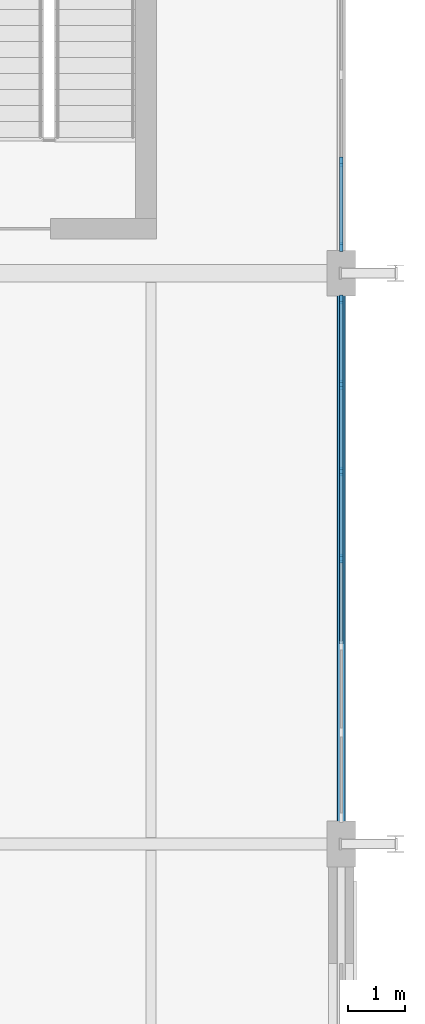
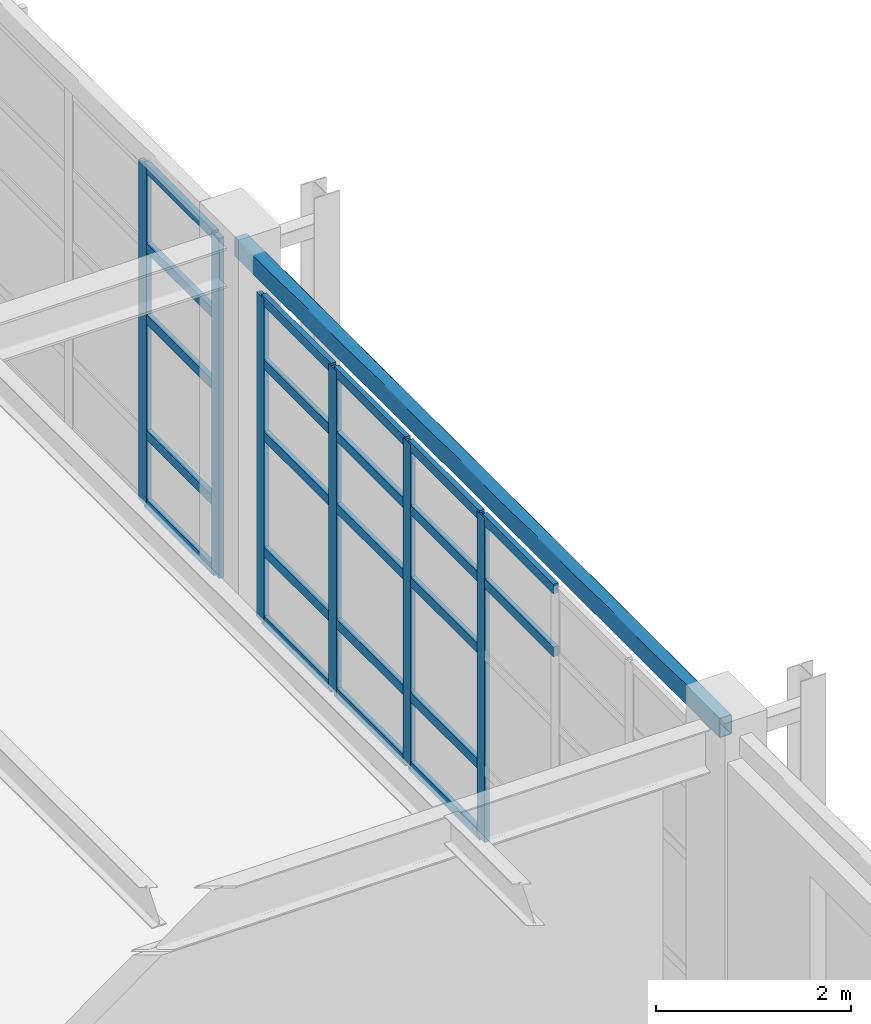
# One storey, part 65 of 139: 28 members, 1 beam, 2 elements without a shape of their own.
"""IFC4 building model written with IfcOpenShell, lengths in metres."""

from ifc_helpers import new_model, si_unit, direction, frame, origin, origin_2d, place, context, subcontext, project, spatial, rectangle, hollow_rectangle, extrude, material, layer, layer_set, material_profile, profile_set, type_object, element, aggregate, save


model = new_model("IFC4")

# Units and contexts
model_context = context("Model", 3, precision=1e-05, world=origin(), true_north=direction((0.0, 1.0)))
body_context = subcontext(model_context, "Body", "Model", "MODEL_VIEW")
ifc_project = project(units=[si_unit("LENGTHUNIT", "METRE"), si_unit("AREAUNIT", "SQUARE_METRE"), si_unit("VOLUMEUNIT", "CUBIC_METRE"), si_unit("PLANEANGLEUNIT", "RADIAN"), si_unit("MASSUNIT", "GRAM", prefix="KILO"), si_unit("THERMODYNAMICTEMPERATUREUNIT", "KELVIN"), si_unit("POWERUNIT", "WATT")], contexts=[model_context])

# Site, building, storey
site_placement = place(None, origin())
site = spatial("IfcSite", under=ifc_project, at=site_placement, CompositionType="ELEMENT")
building_placement = place(site_placement, origin())
building = spatial("IfcBuilding", under=site, at=building_placement, Name="Korenveer Ferry Terminal", CompositionType="ELEMENT")
storey_placement = place(building_placement, frame((0.0, 0.0, 5.39990234375)))
storey = spatial("IfcBuildingStorey", under=building, at=storey_placement, Name="L01", CompositionType="ELEMENT", Elevation=5.39990234375)

# Curtain wall, members
ifc_material_1 = material(Name="Unitised bronze-and-glass curtain wall", Category="glass")
ifc_layer_1 = layer(ifc_material_1, 0.159912109375)
ifc_layer_set_1 = layer_set([ifc_layer_1], Name="Unitised bronze-and-glass curtain wall")
curtain_wall_type_1 = type_object("IfcCurtainWallType", Name="ENV-CW-80", PredefinedType="USERDEFINED", material=ifc_layer_set_1)
curtain_wall_1_placement = place(storey_placement, frame((176.0, 29.570068359375, 0.0)))
curtain_wall_1 = element("IfcCurtainWall", 1, at=curtain_wall_1_placement, inside=storey, type_object=curtain_wall_type_1, Name="Lancet curtain wall CWX-L01-X176-176-Y20-30", ObjectType="UNITISED CURTAIN WALL", PredefinedType="USERDEFINED")
ifc_material_2 = material(Name="Anodised bronze aluminium", Category="aluminium")
ifc_material_profile_1 = material_profile(ifc_material_2, rectangle(XDim=0.06005859375, YDim=0.159912109375, at=origin_2d()), Name="ALU 60x160")
ifc_profile_set_1 = profile_set([ifc_material_profile_1], Name="Anodised bronze aluminium")
member_type_1 = type_object("IfcMemberType", Name="ENV-CWM-60X160", PredefinedType="MULLION", material=ifc_profile_set_1)
member_1_placement = place(storey_placement, frame((176.0, 29.5400390625, 0.0), z_axis=(0.0, 0.0, 1.0), x_axis=(1.0, 0.0, 0.0)))
member_1 = element("IfcMember", 2, at=member_1_placement, type_object=member_type_1, Name="CW-80 mullion 1", PredefinedType="MULLION", context=body_context, shape_type="SweptSolid", body=[
    extrude(rectangle(XDim=0.06005859375, YDim=0.159912109375, at=origin_2d()), origin(), (0.0, 0.0, 1.0), 4.070068359375),
])
member_2_placement = place(storey_placement, frame((176.0, 28.046630859375, 0.0), z_axis=(0.0, 0.0, 1.0), x_axis=(1.0, 0.0, 0.0)))
member_2 = element("IfcMember", 3, at=member_2_placement, type_object=member_type_1, Name="CW-80 mullion 2", PredefinedType="MULLION", context=body_context, shape_type="SweptSolid", body=[
    extrude(rectangle(XDim=0.06005859375, YDim=0.159912109375, at=origin_2d()), origin(), (0.0, 0.0, 1.0), 4.070068359375),
])
member_3_placement = place(storey_placement, frame((176.0, 26.5234375, 0.0), z_axis=(0.0, 0.0, 1.0), x_axis=(1.0, 0.0, 0.0)))
member_3 = element("IfcMember", 4, at=member_3_placement, type_object=member_type_1, Name="CW-80 mullion 3", PredefinedType="MULLION", context=body_context, shape_type="SweptSolid", body=[
    extrude(rectangle(XDim=0.06005859375, YDim=0.159912109375, at=origin_2d()), origin(), (0.0, 0.0, 1.0), 4.070068359375),
])
member_4_placement = place(storey_placement, frame((176.0, 25.0, 0.0), z_axis=(0.0, 0.0, 1.0), x_axis=(1.0, 0.0, 0.0)))
member_4 = element("IfcMember", 5, at=member_4_placement, type_object=member_type_1, Name="CW-80 mullion 4", PredefinedType="MULLION", context=body_context, shape_type="SweptSolid", body=[
    extrude(rectangle(XDim=0.06005859375, YDim=0.159912109375, at=origin_2d()), origin(), (0.0, 0.0, 1.0), 4.070068359375),
])

ifc_layer_2 = layer(ifc_material_1, 0.159912109375)
ifc_layer_set_2 = layer_set([ifc_layer_2], Name="Unitised bronze-and-glass curtain wall")
curtain_wall_type_2 = type_object("IfcCurtainWallType", Name="ENV-CW-81", PredefinedType="USERDEFINED", material=ifc_layer_set_2)
curtain_wall_2_placement = place(storey_placement, frame((176.0, 39.570068359375, 0.0)))
curtain_wall_2 = element("IfcCurtainWall", 6, at=curtain_wall_2_placement, inside=storey, type_object=curtain_wall_type_2, Name="Lancet curtain wall CWX-L01-X176-176-Y30-40", ObjectType="UNITISED CURTAIN WALL", PredefinedType="USERDEFINED")
member_5_placement = place(storey_placement, frame((176.0, 31.953369140625, 0.0), z_axis=(0.0, 0.0, 1.0), x_axis=(1.0, 0.0, 0.0)))
member_5 = element("IfcMember", 7, at=member_5_placement, type_object=member_type_1, Name="CW-81 mullion 6", PredefinedType="MULLION", context=body_context, shape_type="SweptSolid", body=[
    extrude(rectangle(XDim=0.06005859375, YDim=0.159912109375, at=origin_2d()), origin(), (0.0, 0.0, 1.0), 4.27001953125),
])
member_6_placement = place(storey_placement, frame((176.0, 30.4599609375, 0.0), z_axis=(0.0, 0.0, 1.0), x_axis=(1.0, 0.0, 0.0)))
member_6 = element("IfcMember", 8, at=member_6_placement, type_object=member_type_1, Name="CW-81 mullion 7", PredefinedType="MULLION", context=body_context, shape_type="SweptSolid", body=[
    extrude(rectangle(XDim=0.06005859375, YDim=0.159912109375, at=origin_2d()), origin(), (0.0, 0.0, 1.0), 4.27001953125),
])

# Member
ifc_material_profile_2 = material_profile(ifc_material_2, rectangle(XDim=0.06005859375, YDim=0.1201171875, at=origin_2d()), Name="ALU 60x120")
ifc_profile_set_2 = profile_set([ifc_material_profile_2], Name="Anodised bronze aluminium")
member_type_2 = type_object("IfcMemberType", Name="ENV-CWT-60X120", PredefinedType="USERDEFINED", material=ifc_profile_set_2)
member_7_placement = place(storey_placement, frame((176.0, 29.510009765625, 0.030029296875), z_axis=(0.0, -1.0, 0.0), x_axis=(1.0, 0.0, 0.0)))
member_7 = element("IfcMember", 9, at=member_7_placement, type_object=member_type_2, Name="CW-80 transom 1.1", ObjectType="TRANSOM", PredefinedType="USERDEFINED", context=body_context, shape_type="SweptSolid", body=[
    extrude(rectangle(XDim=0.06005859375, YDim=0.1201171875, at=origin_2d()), origin(), (0.0, 0.0, 1.0), 1.433349609375),
])

member_8_placement = place(storey_placement, frame((176.0, 29.510009765625, 0.900146484375), z_axis=(0.0, -1.0, 0.0), x_axis=(1.0, 0.0, 0.0)))
member_8 = element("IfcMember", 10, at=member_8_placement, type_object=member_type_2, Name="CW-80 transom 1.2", ObjectType="TRANSOM", PredefinedType="USERDEFINED", context=body_context, shape_type="SweptSolid", body=[
    extrude(rectangle(XDim=0.06005859375, YDim=0.1201171875, at=origin_2d()), origin(), (0.0, 0.0, 1.0), 1.433349609375),
])

member_9_placement = place(storey_placement, frame((176.0, 29.510009765625, 2.35009765625), z_axis=(0.0, -1.0, 0.0), x_axis=(1.0, 0.0, 0.0)))
member_9 = element("IfcMember", 11, at=member_9_placement, type_object=member_type_2, Name="CW-80 transom 1.3", ObjectType="TRANSOM", PredefinedType="USERDEFINED", context=body_context, shape_type="SweptSolid", body=[
    extrude(rectangle(XDim=0.06005859375, YDim=0.1201171875, at=origin_2d()), origin(), (0.0, 0.0, 1.0), 1.433349609375),
])

member_10_placement = place(storey_placement, frame((176.0, 29.510009765625, 3.25), z_axis=(0.0, -1.0, 0.0), x_axis=(1.0, 0.0, 0.0)))
member_10 = element("IfcMember", 12, at=member_10_placement, type_object=member_type_2, Name="CW-80 transom 1.4", ObjectType="TRANSOM", PredefinedType="USERDEFINED", context=body_context, shape_type="SweptSolid", body=[
    extrude(rectangle(XDim=0.06005859375, YDim=0.1201171875, at=origin_2d()), origin(), (0.0, 0.0, 1.0), 1.433349609375),
])

member_11_placement = place(storey_placement, frame((176.0, 29.510009765625, 4.0400390625), z_axis=(0.0, -1.0, 0.0), x_axis=(1.0, 0.0, 0.0)))
member_11 = element("IfcMember", 13, at=member_11_placement, type_object=member_type_2, Name="CW-80 transom 1.5", ObjectType="TRANSOM", PredefinedType="USERDEFINED", context=body_context, shape_type="SweptSolid", body=[
    extrude(rectangle(XDim=0.06005859375, YDim=0.1201171875, at=origin_2d()), origin(), (0.0, 0.0, 1.0), 1.433349609375),
])

member_12_placement = place(storey_placement, frame((176.0, 28.0166015625, 0.030029296875), z_axis=(0.0, -1.0, 0.0), x_axis=(1.0, 0.0, 0.0)))
member_12 = element("IfcMember", 14, at=member_12_placement, type_object=member_type_2, Name="CW-80 transom 2.1", ObjectType="TRANSOM", PredefinedType="USERDEFINED", context=body_context, shape_type="SweptSolid", body=[
    extrude(rectangle(XDim=0.06005859375, YDim=0.1201171875, at=origin_2d()), origin(), (0.0, 0.0, 1.0), 1.46337890625),
])

member_13_placement = place(storey_placement, frame((176.0, 28.0166015625, 0.900146484375), z_axis=(0.0, -1.0, 0.0), x_axis=(1.0, 0.0, 0.0)))
member_13 = element("IfcMember", 15, at=member_13_placement, type_object=member_type_2, Name="CW-80 transom 2.2", ObjectType="TRANSOM", PredefinedType="USERDEFINED", context=body_context, shape_type="SweptSolid", body=[
    extrude(rectangle(XDim=0.06005859375, YDim=0.1201171875, at=origin_2d()), origin(), (0.0, 0.0, 1.0), 1.46337890625),
])

member_14_placement = place(storey_placement, frame((176.0, 28.0166015625, 2.35009765625), z_axis=(0.0, -1.0, 0.0), x_axis=(1.0, 0.0, 0.0)))
member_14 = element("IfcMember", 16, at=member_14_placement, type_object=member_type_2, Name="CW-80 transom 2.3", ObjectType="TRANSOM", PredefinedType="USERDEFINED", context=body_context, shape_type="SweptSolid", body=[
    extrude(rectangle(XDim=0.06005859375, YDim=0.1201171875, at=origin_2d()), origin(), (0.0, 0.0, 1.0), 1.46337890625),
])

member_15_placement = place(storey_placement, frame((176.0, 28.0166015625, 3.25), z_axis=(0.0, -1.0, 0.0), x_axis=(1.0, 0.0, 0.0)))
member_15 = element("IfcMember", 17, at=member_15_placement, type_object=member_type_2, Name="CW-80 transom 2.4", ObjectType="TRANSOM", PredefinedType="USERDEFINED", context=body_context, shape_type="SweptSolid", body=[
    extrude(rectangle(XDim=0.06005859375, YDim=0.1201171875, at=origin_2d()), origin(), (0.0, 0.0, 1.0), 1.46337890625),
])

member_16_placement = place(storey_placement, frame((176.0, 28.0166015625, 4.0400390625), z_axis=(0.0, -1.0, 0.0), x_axis=(1.0, 0.0, 0.0)))
member_16 = element("IfcMember", 18, at=member_16_placement, type_object=member_type_2, Name="CW-80 transom 2.5", ObjectType="TRANSOM", PredefinedType="USERDEFINED", context=body_context, shape_type="SweptSolid", body=[
    extrude(rectangle(XDim=0.06005859375, YDim=0.1201171875, at=origin_2d()), origin(), (0.0, 0.0, 1.0), 1.46337890625),
])

member_17_placement = place(storey_placement, frame((176.0, 26.493408203125, 0.030029296875), z_axis=(0.0, -1.0, 0.0), x_axis=(1.0, 0.0, 0.0)))
member_17 = element("IfcMember", 19, at=member_17_placement, type_object=member_type_2, Name="CW-80 transom 3.1", ObjectType="TRANSOM", PredefinedType="USERDEFINED", context=body_context, shape_type="SweptSolid", body=[
    extrude(rectangle(XDim=0.06005859375, YDim=0.1201171875, at=origin_2d()), origin(), (0.0, 0.0, 1.0), 1.46337890625),
])

member_18_placement = place(storey_placement, frame((176.0, 26.493408203125, 0.900146484375), z_axis=(0.0, -1.0, 0.0), x_axis=(1.0, 0.0, 0.0)))
member_18 = element("IfcMember", 20, at=member_18_placement, type_object=member_type_2, Name="CW-80 transom 3.2", ObjectType="TRANSOM", PredefinedType="USERDEFINED", context=body_context, shape_type="SweptSolid", body=[
    extrude(rectangle(XDim=0.06005859375, YDim=0.1201171875, at=origin_2d()), origin(), (0.0, 0.0, 1.0), 1.46337890625),
])

member_19_placement = place(storey_placement, frame((176.0, 26.493408203125, 2.35009765625), z_axis=(0.0, -1.0, 0.0), x_axis=(1.0, 0.0, 0.0)))
member_19 = element("IfcMember", 21, at=member_19_placement, type_object=member_type_2, Name="CW-80 transom 3.3", ObjectType="TRANSOM", PredefinedType="USERDEFINED", context=body_context, shape_type="SweptSolid", body=[
    extrude(rectangle(XDim=0.06005859375, YDim=0.1201171875, at=origin_2d()), origin(), (0.0, 0.0, 1.0), 1.46337890625),
])

member_20_placement = place(storey_placement, frame((176.0, 26.493408203125, 3.25), z_axis=(0.0, -1.0, 0.0), x_axis=(1.0, 0.0, 0.0)))
member_20 = element("IfcMember", 22, at=member_20_placement, type_object=member_type_2, Name="CW-80 transom 3.4", ObjectType="TRANSOM", PredefinedType="USERDEFINED", context=body_context, shape_type="SweptSolid", body=[
    extrude(rectangle(XDim=0.06005859375, YDim=0.1201171875, at=origin_2d()), origin(), (0.0, 0.0, 1.0), 1.46337890625),
])

member_21_placement = place(storey_placement, frame((176.0, 26.493408203125, 4.0400390625), z_axis=(0.0, -1.0, 0.0), x_axis=(1.0, 0.0, 0.0)))
member_21 = element("IfcMember", 23, at=member_21_placement, type_object=member_type_2, Name="CW-80 transom 3.5", ObjectType="TRANSOM", PredefinedType="USERDEFINED", context=body_context, shape_type="SweptSolid", body=[
    extrude(rectangle(XDim=0.06005859375, YDim=0.1201171875, at=origin_2d()), origin(), (0.0, 0.0, 1.0), 1.46337890625),
])

member_22_placement = place(storey_placement, frame((176.0, 24.969970703125, 3.25), z_axis=(0.0, -1.0, 0.0), x_axis=(1.0, 0.0, 0.0)))
member_22 = element("IfcMember", 24, at=member_22_placement, type_object=member_type_2, Name="CW-80 transom 4.4", ObjectType="TRANSOM", PredefinedType="USERDEFINED", context=body_context, shape_type="SweptSolid", body=[
    extrude(rectangle(XDim=0.06005859375, YDim=0.1201171875, at=origin_2d()), origin(), (0.0, 0.0, 1.0), 1.46337890625),
])

member_23_placement = place(storey_placement, frame((176.0, 24.969970703125, 4.0400390625), z_axis=(0.0, -1.0, 0.0), x_axis=(1.0, 0.0, 0.0)))
member_23 = element("IfcMember", 25, at=member_23_placement, type_object=member_type_2, Name="CW-80 transom 4.5", ObjectType="TRANSOM", PredefinedType="USERDEFINED", context=body_context, shape_type="SweptSolid", body=[
    extrude(rectangle(XDim=0.06005859375, YDim=0.1201171875, at=origin_2d()), origin(), (0.0, 0.0, 1.0), 1.46337890625),
])

aggregate(curtain_wall_1, [member_1, member_2, member_3, member_4, member_7, member_8, member_9, member_10, member_11, member_12, member_13, member_14, member_15, member_16, member_17, member_18, member_19, member_20, member_21, member_22, member_23])

member_24_placement = place(storey_placement, frame((176.0, 31.92333984375, 0.030029296875), z_axis=(0.0, -1.0, 0.0), x_axis=(1.0, 0.0, 0.0)))
member_24 = element("IfcMember", 26, at=member_24_placement, type_object=member_type_2, Name="CW-81 transom 6.1", ObjectType="TRANSOM", PredefinedType="USERDEFINED", context=body_context, shape_type="SweptSolid", body=[
    extrude(rectangle(XDim=0.06005859375, YDim=0.1201171875, at=origin_2d()), origin(), (0.0, 0.0, 1.0), 1.433349609375),
])

member_25_placement = place(storey_placement, frame((176.0, 31.92333984375, 0.900146484375), z_axis=(0.0, -1.0, 0.0), x_axis=(1.0, 0.0, 0.0)))
member_25 = element("IfcMember", 27, at=member_25_placement, type_object=member_type_2, Name="CW-81 transom 6.2", ObjectType="TRANSOM", PredefinedType="USERDEFINED", context=body_context, shape_type="SweptSolid", body=[
    extrude(rectangle(XDim=0.06005859375, YDim=0.1201171875, at=origin_2d()), origin(), (0.0, 0.0, 1.0), 1.433349609375),
])

member_26_placement = place(storey_placement, frame((176.0, 31.92333984375, 2.35009765625), z_axis=(0.0, -1.0, 0.0), x_axis=(1.0, 0.0, 0.0)))
member_26 = element("IfcMember", 28, at=member_26_placement, type_object=member_type_2, Name="CW-81 transom 6.3", ObjectType="TRANSOM", PredefinedType="USERDEFINED", context=body_context, shape_type="SweptSolid", body=[
    extrude(rectangle(XDim=0.06005859375, YDim=0.1201171875, at=origin_2d()), origin(), (0.0, 0.0, 1.0), 1.433349609375),
])

member_27_placement = place(storey_placement, frame((176.0, 31.92333984375, 3.25), z_axis=(0.0, -1.0, 0.0), x_axis=(1.0, 0.0, 0.0)))
member_27 = element("IfcMember", 29, at=member_27_placement, type_object=member_type_2, Name="CW-81 transom 6.4", ObjectType="TRANSOM", PredefinedType="USERDEFINED", context=body_context, shape_type="SweptSolid", body=[
    extrude(rectangle(XDim=0.06005859375, YDim=0.1201171875, at=origin_2d()), origin(), (0.0, 0.0, 1.0), 1.433349609375),
])

member_28_placement = place(storey_placement, frame((176.0, 31.92333984375, 4.239990234375), z_axis=(0.0, -1.0, 0.0), x_axis=(1.0, 0.0, 0.0)))
member_28 = element("IfcMember", 30, at=member_28_placement, type_object=member_type_2, Name="CW-81 transom 6.5", ObjectType="TRANSOM", PredefinedType="USERDEFINED", context=body_context, shape_type="SweptSolid", body=[
    extrude(rectangle(XDim=0.06005859375, YDim=0.1201171875, at=origin_2d()), origin(), (0.0, 0.0, 1.0), 1.433349609375),
])

aggregate(curtain_wall_2, [member_5, member_6, member_24, member_25, member_26, member_27, member_28])

# Beam
ifc_material_3 = material(Name="Steel S355", Category="steel")
ifc_material_profile_3 = material_profile(ifc_material_3, hollow_rectangle(XDim=0.14990234375, YDim=0.25, WallThickness=0.010009765625, InnerFilletRadius=0.010009765625, OuterFilletRadius=0.014892578125, at=origin_2d()), Name="RHS 250x150x10")
ifc_profile_set_3 = profile_set([ifc_material_profile_3], Name="Steel S355")
beam_type = type_object("IfcBeamType", Name="STR-SPD-RHS250", PredefinedType="SPANDREL", material=ifc_profile_set_3)
beam_placement = place(storey_placement, frame((176.0, 20.02001953125, 4.425048828125), z_axis=(0.0, 1.0, 0.0), x_axis=(-1.0, 0.0, 0.0)))
element("IfcBeam", 31, at=beam_placement, inside=storey, type_object=beam_type, Name="Primary Y girder BMY-L02-X176-Y20-30", PredefinedType="SPANDREL", context=body_context, shape_type="SweptSolid", body=[
    extrude(hollow_rectangle(XDim=0.14990234375, YDim=0.25, WallThickness=0.010009765625, InnerFilletRadius=0.010009765625, OuterFilletRadius=0.014892578125, at=origin_2d()), origin(), (0.0, 0.0, 1.0), 9.9599609375),
])

save(model, "model.ifc")
